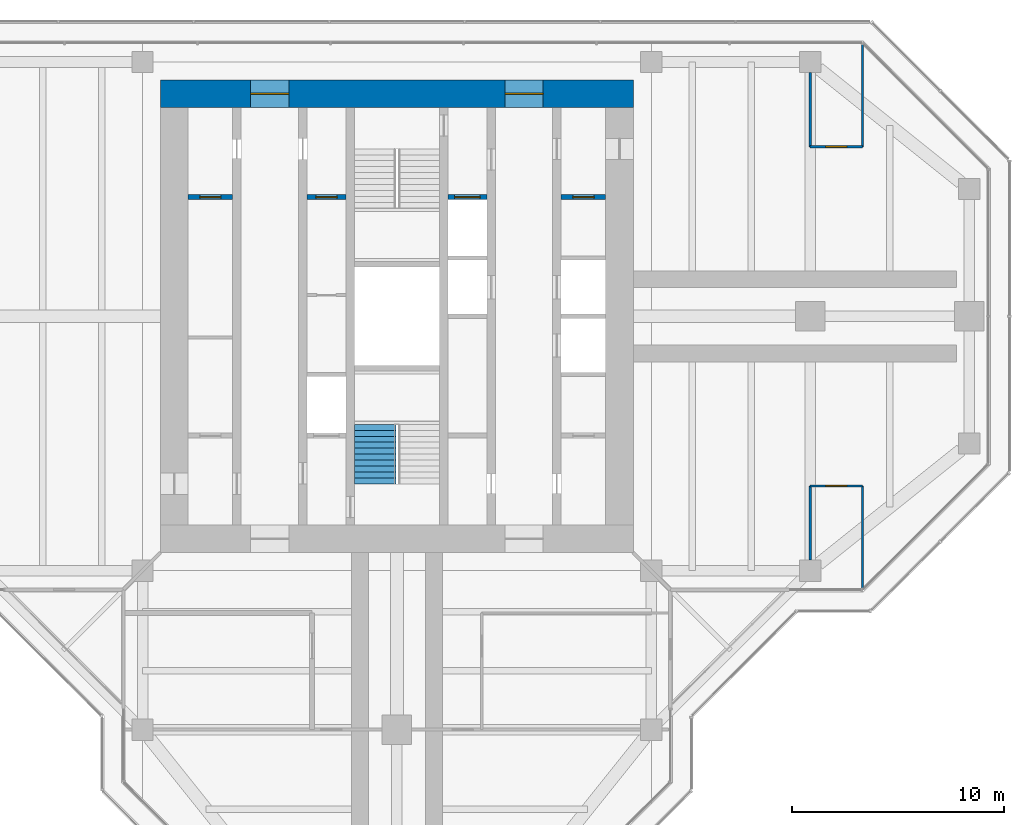
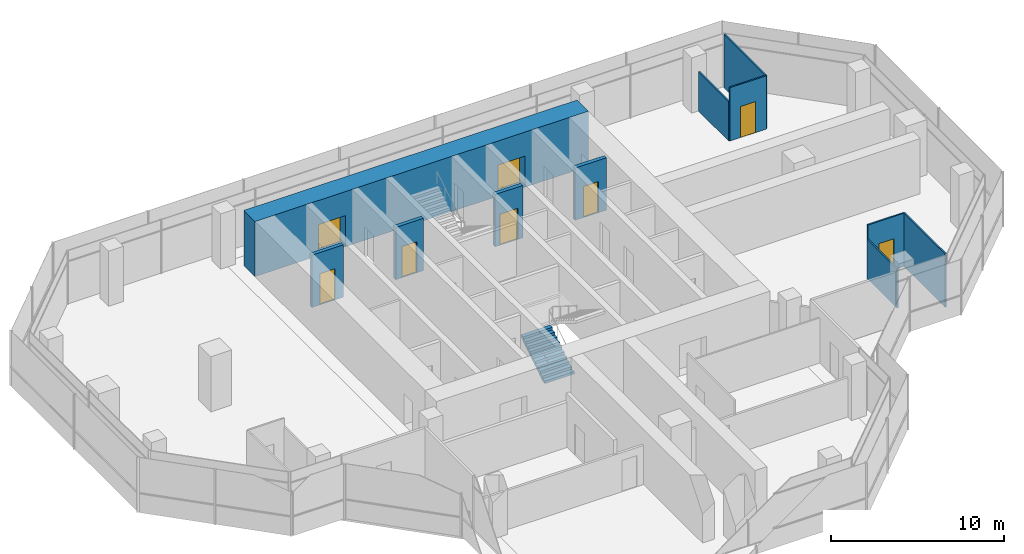
# One storey, part 13 of 15: 11 walls, 8 doors, 1 stair flight, 8 openings, 1 element without a shape of its own.
"""IFC4 building model written with IfcOpenShell, lengths in metres."""

from ifc_helpers import new_model, si_unit, direction, frame, frame_2d, origin, place, context, subcontext, project, spatial, polyline, rectangle, outline, extrude, material, layer, layer_set, type_object, element, fill, aggregate, save


model = new_model("IFC4")

# Units and contexts
model_context = context("Model", 3, precision=1e-05, world=origin(), true_north=direction((0.0, 1.0)))
body_context = subcontext(model_context, "Body", "Model", "MODEL_VIEW")
ifc_project = project(units=[si_unit("LENGTHUNIT", "METRE"), si_unit("AREAUNIT", "SQUARE_METRE"), si_unit("VOLUMEUNIT", "CUBIC_METRE"), si_unit("PLANEANGLEUNIT", "RADIAN"), si_unit("MASSUNIT", "GRAM", prefix="KILO")], contexts=[model_context])

# Site, building, storey
site_placement = place(None, origin())
site = spatial("IfcSite", under=ifc_project, at=site_placement, CompositionType="ELEMENT")
building_placement = place(site_placement, origin())
building = spatial("IfcBuilding", under=site, at=building_placement, Name="Mizan Broadcast Tower", CompositionType="ELEMENT")
storey_placement = place(building_placement, frame((0.0, 0.0, 286.800048828125)))
storey = spatial("IfcBuildingStorey", under=building, at=storey_placement, Name="L68", CompositionType="ELEMENT", Elevation=286.800048828125)

# Wall, openings, doors
ifc_material_1 = material(Name="Concrete C70/85", Category="concrete")
ifc_layer_1 = layer(ifc_material_1, 1.300048828125)
ifc_layer_set_1 = layer_set([ifc_layer_1], Name="Concrete C70/85")
wall_type_1 = type_object("IfcWallType", Name="CORE WALL 1300", PredefinedType="SHEAR", material=ifc_layer_set_1)
wall_1_placement = place(storey_placement, frame((-11.14990234375, 10.5, 0.0), z_axis=(0.0, 0.0, 1.0), x_axis=(1.0, 0.0, 0.0)))
wall_1 = element("IfcWall", 1, at=wall_1_placement, inside=storey, type_object=wall_type_1, Name="Core wall N L68", PredefinedType="SHEAR", context=body_context, shape_type="SweptSolid", body=[
    extrude(rectangle(XDim=22.2998046875, YDim=1.300048828125, at=frame_2d((11.14990234375, 0.0))), origin(), (0.0, 0.0, 1.0), 3.89990234375),
])
opening_1_placement = place(wall_1_placement, frame((4.25, 0.0, 0.0)))
opening_1 = element("IfcOpeningElement", 2, at=opening_1_placement, cuts=wall_1, Name="Opening D18F", PredefinedType="OPENING", context=body_context, shape_type="SweptSolid", body=[
    extrude(rectangle(XDim=1.800048828125, YDim=2.199951171875, at=frame_2d((0.89990234375, 1.10009765625))), frame((0.0, 0.659912109375, 0.0), z_axis=(0.0, -1.0, 0.0), x_axis=(1.0, 0.0, 0.0)), (0.0, 0.0, 1.0), 1.320068359375),
])
opening_2_placement = place(wall_1_placement, frame((16.25, 0.0, 0.0)))
opening_2 = element("IfcOpeningElement", 3, at=opening_2_placement, cuts=wall_1, Name="Opening D18F", PredefinedType="OPENING", context=body_context, shape_type="SweptSolid", body=[
    extrude(rectangle(XDim=1.800048828125, YDim=2.199951171875, at=frame_2d((0.89990234375, 1.10009765625))), frame((0.0, 0.659912109375, 0.0), z_axis=(0.0, -1.0, 0.0), x_axis=(1.0, 0.0, 0.0)), (0.0, 0.0, 1.0), 1.320068359375),
])
ifc_material_2 = material(Name="Steel door leaf in steel frame", Category="steel")
door_type_1 = type_object("IfcDoorType", Name="LOBBY DOUBLE DOOR 1800 FD90", OperationType="DOUBLE_DOOR_DOUBLE_SWING", PredefinedType="DOOR", material=ifc_material_2)
door_1_placement = place(opening_1_placement, origin())
door_1 = element("IfcDoor", 4, at=door_1_placement, inside=storey, type_object=door_type_1, Name="West lift lobby north door", OperationType="DOUBLE_DOOR_DOUBLE_SWING", OverallHeight=2.199951171875, OverallWidth=1.800048828125, PredefinedType="DOOR", context=body_context, shape_type="SweptSolid", body=[
    extrude(rectangle(XDim=1.800048828125, YDim=2.199951171875, at=frame_2d((0.89990234375, 1.10009765625))), frame((0.0, 0.02490234375, 0.0), z_axis=(0.0, -1.0, 0.0), x_axis=(1.0, 0.0, 0.0)), (0.0, 0.0, 1.0), 0.050048828125),
])
fill(opening_1, door_1)
door_2_placement = place(opening_2_placement, origin())
door_2 = element("IfcDoor", 5, at=door_2_placement, inside=storey, type_object=door_type_1, Name="East lift lobby north door", OperationType="DOUBLE_DOOR_DOUBLE_SWING", OverallHeight=2.199951171875, OverallWidth=1.800048828125, PredefinedType="DOOR", context=body_context, shape_type="SweptSolid", body=[
    extrude(rectangle(XDim=1.800048828125, YDim=2.199951171875, at=frame_2d((0.89990234375, 1.10009765625))), frame((0.0, 0.02490234375, 0.0), z_axis=(0.0, -1.0, 0.0), x_axis=(1.0, 0.0, 0.0)), (0.0, 0.0, 1.0), 0.050048828125),
])
fill(opening_2, door_2)

# Wall, opening, door
ifc_material_3 = material(Name="Concrete blockwork", Category="masonry")
ifc_layer_2 = layer(ifc_material_3, 0.25)
ifc_layer_set_2 = layer_set([ifc_layer_2], Name="Concrete blockwork")
wall_type_2 = type_object("IfcWallType", Name="LOBBY ENCLOSURE WALL 250", PredefinedType="SOLIDWALL", material=ifc_layer_set_2)
wall_2_placement = place(storey_placement, frame((-9.85009765625, 5.625, 0.0), z_axis=(0.0, 0.0, 1.0), x_axis=(1.0, 0.0, 0.0)))
wall_2 = element("IfcWall", 6, at=wall_2_placement, inside=storey, type_object=wall_type_2, Name="Lobby enclosure wall CORE/BW1N", PredefinedType="SOLIDWALL", context=body_context, shape_type="SweptSolid", body=[
    extrude(rectangle(XDim=2.10009765625, YDim=0.25, at=frame_2d((1.050048828125, 0.0))), origin(), (0.0, 0.0, 1.0), 3.699951171875),
])
opening_3_placement = place(wall_2_placement, frame((0.550048828125, 0.0, 0.0)))
opening_3 = element("IfcOpeningElement", 7, at=opening_3_placement, cuts=wall_2, Name="Opening D10F", PredefinedType="OPENING", context=body_context, shape_type="SweptSolid", body=[
    extrude(rectangle(XDim=1.0, YDim=2.199951171875, at=frame_2d((0.5, 1.10009765625))), frame((0.0, 0.135009765625, 0.0), z_axis=(0.0, -1.0, 0.0), x_axis=(1.0, 0.0, 0.0)), (0.0, 0.0, 1.0), 0.27001953125),
])
ifc_material_4 = material(Name="Steel door leaf in steel frame", Category="steel")
door_type_2 = type_object("IfcDoorType", Name="FIRE DOOR 1000 FD90", OperationType="SINGLE_SWING_LEFT", PredefinedType="DOOR", material=ifc_material_4)
door_3_placement = place(opening_3_placement, origin())
door_3 = element("IfcDoor", 8, at=door_3_placement, inside=storey, type_object=door_type_2, Name="Staff changing room door", OperationType="SINGLE_SWING_RIGHT", OverallHeight=2.199951171875, OverallWidth=1.0, PredefinedType="DOOR", context=body_context, shape_type="SweptSolid", body=[
    extrude(rectangle(XDim=1.0, YDim=2.199951171875, at=frame_2d((0.5, 1.10009765625))), frame((0.0, 0.02490234375, 0.0), z_axis=(0.0, -1.0, 0.0), x_axis=(1.0, 0.0, 0.0)), (0.0, 0.0, 1.0), 0.050048828125),
])
fill(opening_3, door_3)

wall_3_placement = place(storey_placement, frame((-4.25, 5.625, 0.0), z_axis=(0.0, 0.0, 1.0), x_axis=(1.0, 0.0, 0.0)))
wall_3 = element("IfcWall", 9, at=wall_3_placement, inside=storey, type_object=wall_type_2, Name="Lobby enclosure wall CORE/BW2N", PredefinedType="SOLIDWALL", context=body_context, shape_type="SweptSolid", body=[
    extrude(rectangle(XDim=1.85009765625, YDim=0.25, at=frame_2d((0.925048828125, 0.0))), origin(), (0.0, 0.0, 1.0), 3.699951171875),
])
opening_4_placement = place(wall_3_placement, frame((0.425048828125, 0.0, 0.0)))
opening_4 = element("IfcOpeningElement", 10, at=opening_4_placement, cuts=wall_3, Name="Opening D10F", PredefinedType="OPENING", context=body_context, shape_type="SweptSolid", body=[
    extrude(rectangle(XDim=1.0, YDim=2.199951171875, at=frame_2d((0.5, 1.10009765625))), frame((0.0, 0.135009765625, 0.0), z_axis=(0.0, -1.0, 0.0), x_axis=(1.0, 0.0, 0.0)), (0.0, 0.0, 1.0), 0.27001953125),
])
door_4_placement = place(opening_4_placement, origin())
door_4 = element("IfcDoor", 11, at=door_4_placement, inside=storey, type_object=door_type_2, Name="Baby change room door", OperationType="SINGLE_SWING_RIGHT", OverallHeight=2.199951171875, OverallWidth=1.0, PredefinedType="DOOR", context=body_context, shape_type="SweptSolid", body=[
    extrude(rectangle(XDim=1.0, YDim=2.199951171875, at=frame_2d((0.5, 1.10009765625))), frame((0.0, 0.02490234375, 0.0), z_axis=(0.0, -1.0, 0.0), x_axis=(1.0, 0.0, 0.0)), (0.0, 0.0, 1.0), 0.050048828125),
])
fill(opening_4, door_4)

wall_4_placement = place(storey_placement, frame((2.39990234375, 5.625, 0.0), z_axis=(0.0, 0.0, 1.0), x_axis=(1.0, 0.0, 0.0)))
wall_4 = element("IfcWall", 12, at=wall_4_placement, inside=storey, type_object=wall_type_2, Name="Lobby enclosure wall CORE/BE2N", PredefinedType="SOLIDWALL", context=body_context, shape_type="SweptSolid", body=[
    extrude(rectangle(XDim=1.85009765625, YDim=0.25, at=frame_2d((0.925048828125, 0.0))), origin(), (0.0, 0.0, 1.0), 3.699951171875),
])
opening_5_placement = place(wall_4_placement, frame((0.324951171875, 0.0, 0.0)))
opening_5 = element("IfcOpeningElement", 13, at=opening_5_placement, cuts=wall_4, Name="Opening LDF", PredefinedType="OPENING", context=body_context, shape_type="SweptSolid", body=[
    extrude(rectangle(XDim=1.199951171875, YDim=2.199951171875, at=frame_2d((0.60009765625, 1.10009765625))), frame((0.0, 0.135009765625, 0.0), z_axis=(0.0, -1.0, 0.0), x_axis=(1.0, 0.0, 0.0)), (0.0, 0.0, 1.0), 0.27001953125),
])
ifc_material_5 = material(Name="Steel door leaf in steel frame", Category="steel")
door_type_3 = type_object("IfcDoorType", Name="FIREFIGHTING LIFT LANDING DOOR 1200", OperationType="SLIDING_TO_LEFT", PredefinedType="DOOR", material=ifc_material_5)
door_5_placement = place(opening_5_placement, origin())
door_5 = element("IfcDoor", 14, at=door_5_placement, inside=storey, type_object=door_type_3, Name="Landing door FF2", OperationType="SLIDING_TO_LEFT", OverallHeight=2.199951171875, OverallWidth=1.199951171875, PredefinedType="DOOR", context=body_context, shape_type="SweptSolid", body=[
    extrude(rectangle(XDim=1.199951171875, YDim=2.199951171875, at=frame_2d((0.60009765625, 1.10009765625))), frame((0.0, 0.02490234375, 0.0), z_axis=(0.0, -1.0, 0.0), x_axis=(1.0, 0.0, 0.0)), (0.0, 0.0, 1.0), 0.050048828125),
])
fill(opening_5, door_5)

wall_5_placement = place(storey_placement, frame((7.75, 5.625, 0.0), z_axis=(0.0, 0.0, 1.0), x_axis=(1.0, 0.0, 0.0)))
wall_5 = element("IfcWall", 15, at=wall_5_placement, inside=storey, type_object=wall_type_2, Name="Lobby enclosure wall CORE/BE1N", PredefinedType="SOLIDWALL", context=body_context, shape_type="SweptSolid", body=[
    extrude(rectangle(XDim=2.10009765625, YDim=0.25, at=frame_2d((1.050048828125, 0.0))), origin(), (0.0, 0.0, 1.0), 3.699951171875),
])
opening_6_placement = place(wall_5_placement, frame((0.550048828125, 0.0, 0.0)))
opening_6 = element("IfcOpeningElement", 16, at=opening_6_placement, cuts=wall_5, Name="Opening D10F", PredefinedType="OPENING", context=body_context, shape_type="SweptSolid", body=[
    extrude(rectangle(XDim=1.0, YDim=2.199951171875, at=frame_2d((0.5, 1.10009765625))), frame((0.0, 0.135009765625, 0.0), z_axis=(0.0, -1.0, 0.0), x_axis=(1.0, 0.0, 0.0)), (0.0, 0.0, 1.0), 0.27001953125),
])
door_6_placement = place(opening_6_placement, origin())
door_6 = element("IfcDoor", 17, at=door_6_placement, inside=storey, type_object=door_type_2, Name="Building management office door", OperationType="SINGLE_SWING_LEFT", OverallHeight=2.199951171875, OverallWidth=1.0, PredefinedType="DOOR", context=body_context, shape_type="SweptSolid", body=[
    extrude(rectangle(XDim=1.0, YDim=2.199951171875, at=frame_2d((0.5, 1.10009765625))), frame((0.0, 0.02490234375, 0.0), z_axis=(0.0, -1.0, 0.0), x_axis=(1.0, 0.0, 0.0)), (0.0, 0.0, 1.0), 0.050048828125),
])
fill(opening_6, door_6)

ifc_material_6 = material(Name="Glazed aluminium partition on aluminium track", Category="aluminium")
ifc_layer_3 = layer(ifc_material_6, 0.10009765625)
ifc_layer_set_3 = layer_set([ifc_layer_3], Name="Glazed aluminium partition on aluminium track")
wall_type_3 = type_object("IfcWallType", Name="PARTITION GLAZED OFFICE FRONT 100", PredefinedType="PARTITIONING", material=ifc_layer_set_3)
wall_6_placement = place(storey_placement, frame((19.5, 8.0, 0.0), z_axis=(0.0, 0.0, 1.0), x_axis=(1.0, 0.0, 0.0)))
wall_6 = element("IfcWall", 18, at=wall_6_placement, inside=storey, type_object=wall_type_3, Name="Glazed office front PT/ECP0", PredefinedType="PARTITIONING", context=body_context, shape_type="SweptSolid", body=[
    extrude(rectangle(XDim=2.458984375, YDim=0.10009765625, at=frame_2d((1.2294921875, 0.0))), origin(), (0.0, 0.0, 1.0), 3.77001953125),
])
opening_7_placement = place(wall_6_placement, frame((0.7294921875, 0.0, 0.0)))
opening_7 = element("IfcOpeningElement", 19, at=opening_7_placement, cuts=wall_6, Name="Opening D10O", PredefinedType="OPENING", context=body_context, shape_type="SweptSolid", body=[
    extrude(rectangle(XDim=1.0, YDim=2.199951171875, at=frame_2d((0.5, 1.10009765625))), frame((0.0, 0.06005859375, 0.0), z_axis=(0.0, -1.0, 0.0), x_axis=(1.0, 0.0, 0.0)), (0.0, 0.0, 1.0), 0.1201171875),
])
ifc_material_7 = material(Name="Timber door leaf in aluminium frame", Category="wood")
door_type_4 = type_object("IfcDoorType", Name="OFFICE DOOR 1000 GLAZED", OperationType="SINGLE_SWING_LEFT", PredefinedType="DOOR", material=ifc_material_7)
door_7_placement = place(opening_7_placement, origin())
door_7 = element("IfcDoor", 20, at=door_7_placement, inside=storey, type_object=door_type_4, Name="Director's office door", OperationType="SINGLE_SWING_LEFT", OverallHeight=2.199951171875, OverallWidth=1.0, PredefinedType="DOOR", context=body_context, shape_type="SweptSolid", body=[
    extrude(rectangle(XDim=1.0, YDim=2.199951171875, at=frame_2d((0.5, 1.10009765625))), frame((0.0, 0.02490234375, 0.0), z_axis=(0.0, -1.0, 0.0), x_axis=(1.0, 0.0, 0.0)), (0.0, 0.0, 1.0), 0.050048828125),
])
fill(opening_7, door_7)

# Walls
wall_7_placement = place(storey_placement, frame((19.5, 8.0, 0.0), z_axis=(0.0, 0.0, 1.0), x_axis=(0.0, 1.0, 0.0)))
element("IfcWall", 21, at=wall_7_placement, inside=storey, type_object=wall_type_3, Name="Glazed office front PT/EQP1950", PredefinedType="PARTITIONING", context=body_context, shape_type="SweptSolid", body=[
    extrude(rectangle(XDim=3.5, YDim=0.10009765625, at=frame_2d((1.75, 0.0))), origin(), (0.0, 0.0, 1.0), 2.77001953125),
])
wall_8_placement = place(storey_placement, frame((21.958984375, 8.0, 0.0), z_axis=(0.0, 0.0, 1.0), x_axis=(0.0, 1.0, 0.0)))
element("IfcWall", 22, at=wall_8_placement, inside=storey, type_object=wall_type_3, Name="Glazed office front PT/EQP2196", PredefinedType="PARTITIONING", context=body_context, shape_type="SweptSolid", body=[
    extrude(rectangle(XDim=4.820068359375, YDim=0.10009765625, at=frame_2d((2.41015625, 0.0))), origin(), (0.0, 0.0, 1.0), 3.77001953125),
])

# Wall, opening, door
wall_9_placement = place(storey_placement, frame((19.5, -8.0, 0.0), z_axis=(0.0, 0.0, 1.0), x_axis=(1.0, 0.0, 0.0)))
wall_9 = element("IfcWall", 23, at=wall_9_placement, inside=storey, type_object=wall_type_3, Name="Glazed office front PT/ECN0", PredefinedType="PARTITIONING", context=body_context, shape_type="SweptSolid", body=[
    extrude(rectangle(XDim=2.458984375, YDim=0.10009765625, at=frame_2d((1.2294921875, 0.0))), origin(), (0.0, 0.0, 1.0), 3.77001953125),
])
opening_8_placement = place(wall_9_placement, frame((0.7294921875, 0.0, 0.0)))
opening_8 = element("IfcOpeningElement", 24, at=opening_8_placement, cuts=wall_9, Name="Opening D10O", PredefinedType="OPENING", context=body_context, shape_type="SweptSolid", body=[
    extrude(rectangle(XDim=1.0, YDim=2.199951171875, at=frame_2d((0.5, 1.10009765625))), frame((0.0, 0.06005859375, 0.0), z_axis=(0.0, -1.0, 0.0), x_axis=(1.0, 0.0, 0.0)), (0.0, 0.0, 1.0), 0.1201171875),
])
door_8_placement = place(opening_8_placement, origin())
door_8 = element("IfcDoor", 25, at=door_8_placement, inside=storey, type_object=door_type_4, Name="Director's office door", OperationType="SINGLE_SWING_LEFT", OverallHeight=2.199951171875, OverallWidth=1.0, PredefinedType="DOOR", context=body_context, shape_type="SweptSolid", body=[
    extrude(rectangle(XDim=1.0, YDim=2.199951171875, at=frame_2d((0.5, 1.10009765625))), frame((0.0, 0.02490234375, 0.0), z_axis=(0.0, -1.0, 0.0), x_axis=(1.0, 0.0, 0.0)), (0.0, 0.0, 1.0), 0.050048828125),
])
fill(opening_8, door_8)

# Walls
wall_10_placement = place(storey_placement, frame((19.5, -8.0, 0.0), z_axis=(0.0, 0.0, 1.0), x_axis=(0.0, -1.0, 0.0)))
element("IfcWall", 26, at=wall_10_placement, inside=storey, type_object=wall_type_3, Name="Glazed office front PT/EQN1950", PredefinedType="PARTITIONING", context=body_context, shape_type="SweptSolid", body=[
    extrude(rectangle(XDim=3.5, YDim=0.10009765625, at=frame_2d((1.75, 0.0))), origin(), (0.0, 0.0, 1.0), 2.77001953125),
])
wall_11_placement = place(storey_placement, frame((21.958984375, -8.0, 0.0), z_axis=(0.0, 0.0, 1.0), x_axis=(0.0, -1.0, 0.0)))
element("IfcWall", 27, at=wall_11_placement, inside=storey, type_object=wall_type_3, Name="Glazed office front PT/EQN2196", PredefinedType="PARTITIONING", context=body_context, shape_type="SweptSolid", body=[
    extrude(rectangle(XDim=4.820068359375, YDim=0.10009765625, at=frame_2d((2.41015625, 0.0))), origin(), (0.0, 0.0, 1.0), 3.77001953125),
])

# Stair, stair flight
ifc_material_8 = material(Name="Concrete C40/50", Category="concrete")
stair_type = type_object("IfcStairType", Name="EXIT STAIR", PredefinedType="HALF_TURN_STAIR", material=ifc_material_8)
stair_placement = place(storey_placement, origin())
stair = element("IfcStair", 28, at=stair_placement, inside=storey, type_object=stair_type, Name="Stair A L68", PredefinedType="HALF_TURN_STAIR")
ifc_material_9 = material(Name="Concrete C40/50", Category="concrete")
stair_flight_type = type_object("IfcStairFlightType", Name="EXIT STAIR FLIGHT", PredefinedType="STRAIGHT", material=ifc_material_9)
stair_flight_placement = place(storey_placement, frame((-1.02490234375, -7.89990234375, 0.0), z_axis=(0.0, 0.0, 1.0), x_axis=(0.0, 1.0, 0.0)))
stair_flight = element("IfcStairFlight", 29, at=stair_flight_placement, type_object=stair_flight_type, Name="A flight 1", NumberOfRisers=11, NumberOfTreads=10, PredefinedType="STRAIGHT", RiserHeight=0.177272727, TreadLength=0.28, context=body_context, shape_type="SweptSolid", body=[
    extrude(outline(polyline([(0.0, 0.0), (0.0, 0.17724609375), (0.280029296875, 0.17724609375), (0.280029296875, 0.3544921875), (0.56005859375, 0.3544921875), (0.56005859375, 0.53173828125), (0.840087890625, 0.53173828125), (0.840087890625, 0.708984375), (1.1201171875, 0.708984375), (1.1201171875, 0.886474609375), (1.39990234375, 0.886474609375), (1.39990234375, 1.063720703125), (1.679931640625, 1.063720703125), (1.679931640625, 1.240966796875), (1.9599609375, 1.240966796875), (1.9599609375, 1.418212890625), (2.239990234375, 1.418212890625), (2.239990234375, 1.595458984375), (2.52001953125, 1.595458984375), (2.52001953125, 1.772705078125), (2.800048828125, 1.772705078125), (2.800048828125, 1.949951171875), (2.800048828125, 1.59521484375), (0.2802734375, 0.0), (0.0, 0.0)])), frame((0.0, 0.97509765625, 0.0), z_axis=(0.0, -1.0, 0.0), x_axis=(1.0, 0.0, 0.0)), (0.0, 0.0, 1.0), 0.4873046875),
    extrude(outline(polyline([(0.0, 0.0), (0.0, 0.17724609375), (0.280029296875, 0.17724609375), (0.280029296875, 0.3544921875), (0.56005859375, 0.3544921875), (0.56005859375, 0.53173828125), (0.840087890625, 0.53173828125), (0.840087890625, 0.708984375), (1.1201171875, 0.708984375), (1.1201171875, 0.886474609375), (1.39990234375, 0.886474609375), (1.39990234375, 1.063720703125), (1.679931640625, 1.063720703125), (1.679931640625, 1.240966796875), (1.9599609375, 1.240966796875), (1.9599609375, 1.418212890625), (2.239990234375, 1.418212890625), (2.239990234375, 1.595458984375), (2.52001953125, 1.595458984375), (2.52001953125, 1.772705078125), (2.800048828125, 1.772705078125), (2.800048828125, 1.949951171875), (2.800048828125, 1.59521484375), (0.2802734375, 0.0), (0.0, 0.0)])), frame((0.0, 0.4873046875, 0.0), z_axis=(0.0, -1.0, 0.0), x_axis=(1.0, 0.0, 0.0)), (0.0, 0.0, 1.0), 0.2431640625),
    extrude(outline(polyline([(0.0, 0.0), (0.0, 0.17724609375), (0.280029296875, 0.17724609375), (0.280029296875, 0.3544921875), (0.56005859375, 0.3544921875), (0.56005859375, 0.53173828125), (0.840087890625, 0.53173828125), (0.840087890625, 0.708984375), (1.1201171875, 0.708984375), (1.1201171875, 0.886474609375), (1.39990234375, 0.886474609375), (1.39990234375, 1.063720703125), (1.679931640625, 1.063720703125), (1.679931640625, 1.240966796875), (1.9599609375, 1.240966796875), (1.9599609375, 1.418212890625), (2.239990234375, 1.418212890625), (2.239990234375, 1.595458984375), (2.52001953125, 1.595458984375), (2.52001953125, 1.772705078125), (2.800048828125, 1.772705078125), (2.800048828125, 1.949951171875), (2.800048828125, 1.59521484375), (0.2802734375, 0.0), (0.0, 0.0)])), frame((0.0, 0.24365234375, 0.0), z_axis=(0.0, -1.0, 0.0), x_axis=(1.0, 0.0, 0.0)), (0.0, 0.0, 1.0), 0.121337890625),
    extrude(outline(polyline([(0.0, 0.0), (0.0, 0.17724609375), (0.280029296875, 0.17724609375), (0.280029296875, 0.3544921875), (0.56005859375, 0.3544921875), (0.56005859375, 0.53173828125), (0.840087890625, 0.53173828125), (0.840087890625, 0.708984375), (1.1201171875, 0.708984375), (1.1201171875, 0.886474609375), (1.39990234375, 0.886474609375), (1.39990234375, 1.063720703125), (1.679931640625, 1.063720703125), (1.679931640625, 1.240966796875), (1.9599609375, 1.240966796875), (1.9599609375, 1.418212890625), (2.239990234375, 1.418212890625), (2.239990234375, 1.595458984375), (2.52001953125, 1.595458984375), (2.52001953125, 1.772705078125), (2.800048828125, 1.772705078125), (2.800048828125, 1.949951171875), (2.800048828125, 1.59521484375), (0.2802734375, 0.0), (0.0, 0.0)])), frame((0.0, 0.121826171875, 0.0), z_axis=(0.0, -1.0, 0.0), x_axis=(1.0, 0.0, 0.0)), (0.0, 0.0, 1.0), 0.060546875),
    extrude(outline(polyline([(0.0, 0.0), (0.0, 0.17724609375), (0.280029296875, 0.17724609375), (0.280029296875, 0.3544921875), (0.56005859375, 0.3544921875), (0.56005859375, 0.53173828125), (0.840087890625, 0.53173828125), (0.840087890625, 0.708984375), (1.1201171875, 0.708984375), (1.1201171875, 0.886474609375), (1.39990234375, 0.886474609375), (1.39990234375, 1.063720703125), (1.679931640625, 1.063720703125), (1.679931640625, 1.240966796875), (1.9599609375, 1.240966796875), (1.9599609375, 1.418212890625), (2.239990234375, 1.418212890625), (2.239990234375, 1.595458984375), (2.52001953125, 1.595458984375), (2.52001953125, 1.772705078125), (2.800048828125, 1.772705078125), (2.800048828125, 1.949951171875), (2.800048828125, 1.59521484375), (0.2802734375, 0.0), (0.0, 0.0)])), frame((0.0, 0.060791015625, 0.0), z_axis=(0.0, -1.0, 0.0), x_axis=(1.0, 0.0, 0.0)), (0.0, 0.0, 1.0), 0.030029296875),
    extrude(outline(polyline([(0.0, 0.0), (0.0, 0.17724609375), (0.280029296875, 0.17724609375), (0.280029296875, 0.3544921875), (0.56005859375, 0.3544921875), (0.56005859375, 0.53173828125), (0.840087890625, 0.53173828125), (0.840087890625, 0.708984375), (1.1201171875, 0.708984375), (1.1201171875, 0.886474609375), (1.39990234375, 0.886474609375), (1.39990234375, 1.063720703125), (1.679931640625, 1.063720703125), (1.679931640625, 1.240966796875), (1.9599609375, 1.240966796875), (1.9599609375, 1.418212890625), (2.239990234375, 1.418212890625), (2.239990234375, 1.595458984375), (2.52001953125, 1.595458984375), (2.52001953125, 1.772705078125), (2.800048828125, 1.772705078125), (2.800048828125, 1.949951171875), (2.800048828125, 1.59521484375), (0.2802734375, 0.0), (0.0, 0.0)])), frame((0.0, 0.0302734375, 0.0), z_axis=(0.0, -1.0, 0.0), x_axis=(1.0, 0.0, 0.0)), (0.0, 0.0, 1.0), 0.060302734375),
    extrude(outline(polyline([(0.0, 0.0), (0.0, 0.17724609375), (0.280029296875, 0.17724609375), (0.280029296875, 0.3544921875), (0.56005859375, 0.3544921875), (0.56005859375, 0.53173828125), (0.840087890625, 0.53173828125), (0.840087890625, 0.708984375), (1.1201171875, 0.708984375), (1.1201171875, 0.886474609375), (1.39990234375, 0.886474609375), (1.39990234375, 1.063720703125), (1.679931640625, 1.063720703125), (1.679931640625, 1.240966796875), (1.9599609375, 1.240966796875), (1.9599609375, 1.418212890625), (2.239990234375, 1.418212890625), (2.239990234375, 1.595458984375), (2.52001953125, 1.595458984375), (2.52001953125, 1.772705078125), (2.800048828125, 1.772705078125), (2.800048828125, 1.949951171875), (2.800048828125, 1.59521484375), (0.2802734375, 0.0), (0.0, 0.0)])), frame((0.0, -0.030517578125, 0.0), z_axis=(0.0, -1.0, 0.0), x_axis=(1.0, 0.0, 0.0)), (0.0, 0.0, 1.0), 0.030029296875),
    extrude(outline(polyline([(0.0, 0.0), (0.0, 0.17724609375), (0.280029296875, 0.17724609375), (0.280029296875, 0.3544921875), (0.56005859375, 0.3544921875), (0.56005859375, 0.53173828125), (0.840087890625, 0.53173828125), (0.840087890625, 0.708984375), (1.1201171875, 0.708984375), (1.1201171875, 0.886474609375), (1.39990234375, 0.886474609375), (1.39990234375, 1.063720703125), (1.679931640625, 1.063720703125), (1.679931640625, 1.240966796875), (1.9599609375, 1.240966796875), (1.9599609375, 1.418212890625), (2.239990234375, 1.418212890625), (2.239990234375, 1.595458984375), (2.52001953125, 1.595458984375), (2.52001953125, 1.772705078125), (2.800048828125, 1.772705078125), (2.800048828125, 1.949951171875), (2.800048828125, 1.59521484375), (0.2802734375, 0.0), (0.0, 0.0)])), frame((0.0, -0.06103515625, 0.0), z_axis=(0.0, -1.0, 0.0), x_axis=(1.0, 0.0, 0.0)), (0.0, 0.0, 1.0), 0.060546875),
    extrude(outline(polyline([(0.0, 0.0), (0.0, 0.17724609375), (0.280029296875, 0.17724609375), (0.280029296875, 0.3544921875), (0.56005859375, 0.3544921875), (0.56005859375, 0.53173828125), (0.840087890625, 0.53173828125), (0.840087890625, 0.708984375), (1.1201171875, 0.708984375), (1.1201171875, 0.886474609375), (1.39990234375, 0.886474609375), (1.39990234375, 1.063720703125), (1.679931640625, 1.063720703125), (1.679931640625, 1.240966796875), (1.9599609375, 1.240966796875), (1.9599609375, 1.418212890625), (2.239990234375, 1.418212890625), (2.239990234375, 1.595458984375), (2.52001953125, 1.595458984375), (2.52001953125, 1.772705078125), (2.800048828125, 1.772705078125), (2.800048828125, 1.949951171875), (2.800048828125, 1.59521484375), (0.2802734375, 0.0), (0.0, 0.0)])), frame((0.0, -0.1220703125, 0.0), z_axis=(0.0, -1.0, 0.0), x_axis=(1.0, 0.0, 0.0)), (0.0, 0.0, 1.0), 0.121337890625),
    extrude(outline(polyline([(0.0, 0.0), (0.0, 0.17724609375), (0.280029296875, 0.17724609375), (0.280029296875, 0.3544921875), (0.56005859375, 0.3544921875), (0.56005859375, 0.53173828125), (0.840087890625, 0.53173828125), (0.840087890625, 0.708984375), (1.1201171875, 0.708984375), (1.1201171875, 0.886474609375), (1.39990234375, 0.886474609375), (1.39990234375, 1.063720703125), (1.679931640625, 1.063720703125), (1.679931640625, 1.240966796875), (1.9599609375, 1.240966796875), (1.9599609375, 1.418212890625), (2.239990234375, 1.418212890625), (2.239990234375, 1.595458984375), (2.52001953125, 1.595458984375), (2.52001953125, 1.772705078125), (2.800048828125, 1.772705078125), (2.800048828125, 1.949951171875), (2.800048828125, 1.59521484375), (0.2802734375, 0.0), (0.0, 0.0)])), frame((0.0, -0.243896484375, 0.0), z_axis=(0.0, -1.0, 0.0), x_axis=(1.0, 0.0, 0.0)), (0.0, 0.0, 1.0), 0.2431640625),
    extrude(outline(polyline([(0.0, 0.0), (0.0, 0.17724609375), (0.280029296875, 0.17724609375), (0.280029296875, 0.3544921875), (0.56005859375, 0.3544921875), (0.56005859375, 0.53173828125), (0.840087890625, 0.53173828125), (0.840087890625, 0.708984375), (1.1201171875, 0.708984375), (1.1201171875, 0.886474609375), (1.39990234375, 0.886474609375), (1.39990234375, 1.063720703125), (1.679931640625, 1.063720703125), (1.679931640625, 1.240966796875), (1.9599609375, 1.240966796875), (1.9599609375, 1.418212890625), (2.239990234375, 1.418212890625), (2.239990234375, 1.595458984375), (2.52001953125, 1.595458984375), (2.52001953125, 1.772705078125), (2.800048828125, 1.772705078125), (2.800048828125, 1.949951171875), (2.800048828125, 1.59521484375), (0.2802734375, 0.0), (0.0, 0.0)])), frame((0.0, -0.487548828125, 0.0), z_axis=(0.0, -1.0, 0.0), x_axis=(1.0, 0.0, 0.0)), (0.0, 0.0, 1.0), 0.4873046875),
])
aggregate(stair, [stair_flight])

save(model, "model.ifc")
